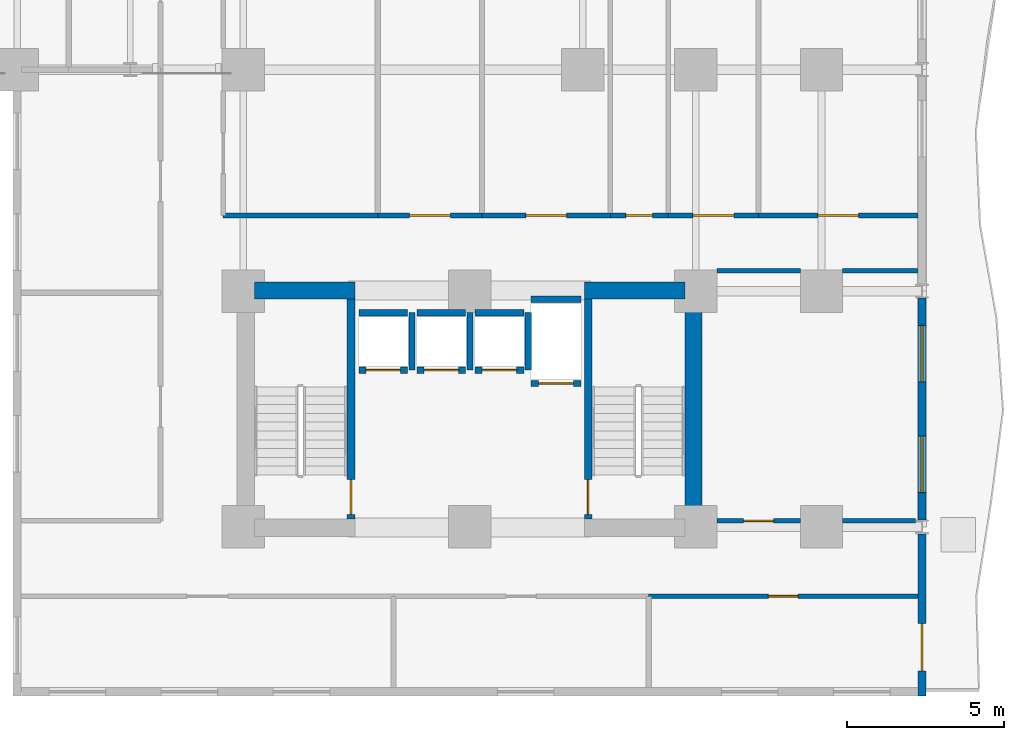
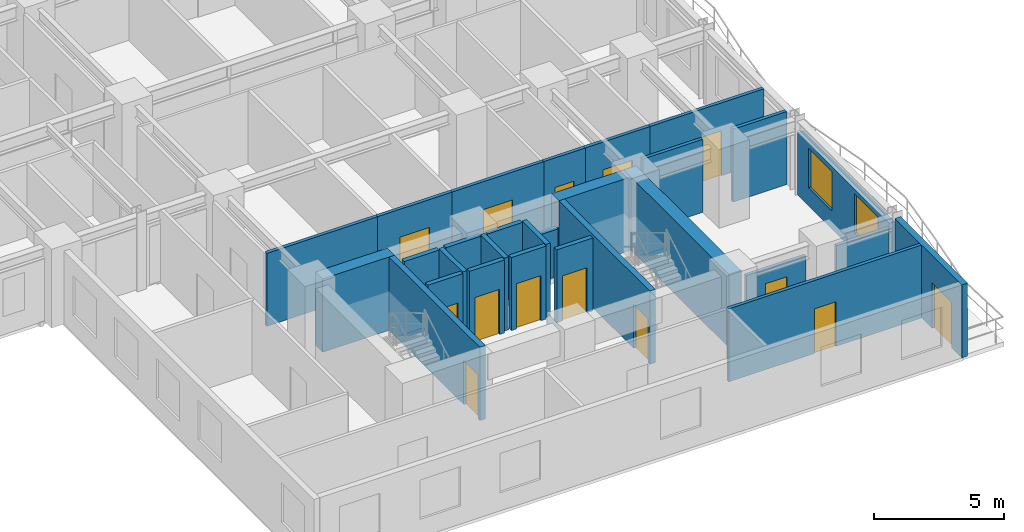
# One storey, part 5 of 11: 29 walls, 14 doors, 2 windows, 16 openings.
"""IFC4 building model written with IfcOpenShell, lengths in metres."""

import ifcopenshell
import ifcopenshell.guid

model = None  # the IFC model being written
_history = None  # IfcOwnerHistory: only IFC2X3 demands one
_inside = {}  # id of a spatial element -> (the spatial element, [elements in it])
_under = {}  # id of a project, library or spatial element -> (it, [spatial elements below it])
_declared = {}  # id of a project -> (the project, [libraries it declares])
_typed = {}  # id of a type object -> (the type object, [elements of that type])
_made_of = {}  # id of a material, layer set ... -> (it, [elements and type objects made of it])


def new_model(schema):
    """Start an empty IFC model of exactly this schema.

    Asked for "IFC4X3", IfcOpenShell would pick the latest addendum, in which some entities
    have other attributes; the version numbers below select the first issue.
    IFC2X3 requires an IfcOwnerHistory on every rooted entity: one is made here for all.
    """
    global model, _history
    if schema == "IFC4X3":
        model = ifcopenshell.file(schema_version=(4, 3, 0, 0))
    else:
        model = ifcopenshell.file(schema=schema)
    _inside.clear()
    _under.clear()
    _declared.clear()
    _typed.clear()
    _made_of.clear()
    _history = None
    if model.schema == "IFC2X3":
        org = make("IfcOrganization", Name="unknown")
        user = make(
            "IfcPersonAndOrganization",
            ThePerson=make("IfcPerson", FamilyName="unknown"),
            TheOrganization=org,
        )
        app = make(
            "IfcApplication",
            ApplicationDeveloper=org,
            Version="unknown",
            ApplicationFullName="unknown",
            ApplicationIdentifier="unknown",
        )
        _history = make(
            "IfcOwnerHistory",
            OwningUser=user,
            OwningApplication=app,
            ChangeAction="ADDED",
            CreationDate=0,
        )
    return model


def make(cls, **values):
    """One entity of the class cls with the attributes given. An attribute that is None is left unset."""
    return model.create_entity(
        cls, **{name: value for name, value in values.items() if value is not None}
    )


def rooted(cls, **values):
    """An entity with a GlobalId (a new one), such as an element, a storey or a relation."""
    return make(cls, GlobalId=ifcopenshell.guid.new(), OwnerHistory=_history, **values)


def si_unit(unit_type, name, prefix=None):
    """IfcSIUnit, for example si_unit("LENGTHUNIT", "METRE", prefix="MILLI")."""
    return make("IfcSIUnit", UnitType=unit_type, Prefix=prefix, Name=name)


def assignment(units):
    """IfcUnitAssignment: the units of a project."""
    return None if units is None else make("IfcUnitAssignment", Units=units)


def point(xyz):
    """IfcCartesianPoint."""
    return None if xyz is None else make("IfcCartesianPoint", Coordinates=xyz)


def direction(xyz):
    """IfcDirection."""
    return None if xyz is None else make("IfcDirection", DirectionRatios=xyz)


def frame(location, z_axis=None, x_axis=None):
    """IfcAxis2Placement3D, a coordinate frame: its origin and axes. An axis left out is left unset."""
    return make(
        "IfcAxis2Placement3D",
        Location=point(location),
        Axis=direction(z_axis),
        RefDirection=direction(x_axis),
    )


def frame_2d(location, x_axis=None):
    """IfcAxis2Placement2D, a coordinate frame in the plane: its origin and x axis."""
    return make(
        "IfcAxis2Placement2D", Location=point(location), RefDirection=direction(x_axis)
    )


def origin():
    """The frame at (0, 0, 0) with its axes left unset."""
    return frame((0.0, 0.0, 0.0))


def place(relative_to, where):
    """IfcLocalPlacement: puts the frame where relative to a parent placement (None: the world)."""
    return make(
        "IfcLocalPlacement", PlacementRelTo=relative_to, RelativePlacement=where
    )


def context(
    kind, dimensions, precision=None, world=None, true_north=None, identifier=None
):
    """IfcGeometricRepresentationContext, for example the 3D "Model" context."""
    return make(
        "IfcGeometricRepresentationContext",
        ContextIdentifier=identifier,
        ContextType=kind,
        CoordinateSpaceDimension=dimensions,
        Precision=precision,
        WorldCoordinateSystem=world,
        TrueNorth=true_north,
    )


def subcontext(parent, identifier, kind, view, scale=None):
    """IfcGeometricRepresentationSubContext, for example "Body" below "Model"."""
    return make(
        "IfcGeometricRepresentationSubContext",
        ContextIdentifier=identifier,
        ContextType=kind,
        ParentContext=parent,
        TargetScale=scale,
        TargetView=view,
    )


def project(units=None, contexts=None):
    """IfcProject with its units and contexts."""
    return rooted(
        "IfcProject",
        Name="project",
        RepresentationContexts=contexts,
        UnitsInContext=assignment(units),
    )


def spatial(cls, under=None, at=None, **own):
    """A site, building, storey or space (cls), placed at a placement, below another one or the project."""
    s = rooted(cls, ObjectPlacement=at, **own)
    if under is not None:
        _under.setdefault(under.id(), (under, []))[1].append(s)
    return s


def profile(cls, at=None, kind="AREA", **sizes):
    """A parametric profile (cls). Its sizes go by their IFC names, for example OverallWidth=200.0."""
    return make(cls, ProfileType=kind, Position=at, **sizes)


def rectangle(**sizes):
    """IfcRectangleProfileDef."""
    return profile("IfcRectangleProfileDef", **sizes)


def extrude(swept, where, along, depth):
    """IfcExtrudedAreaSolid: the profile swept, set in the frame where, extruded along a direction by depth."""
    return make(
        "IfcExtrudedAreaSolid",
        SweptArea=swept,
        Position=where,
        ExtrudedDirection=direction(along),
        Depth=depth,
    )


def shape(context_of_items, identifier, shape_type, items):
    """IfcShapeRepresentation: the items that make up one representation, for example the "Body"."""
    return make(
        "IfcShapeRepresentation",
        ContextOfItems=context_of_items,
        RepresentationIdentifier=identifier,
        RepresentationType=shape_type,
        Items=items,
    )


def material(Name=None, Category=None):
    """IfcMaterial."""
    return make("IfcMaterial", Name=Name, Category=Category)


def layer(
    of_material, thickness, ventilated=None, Name=None, Category=None, Priority=None
):
    """IfcMaterialLayer: one layer of a wall or slab, of a material (None: an air gap)."""
    return make(
        "IfcMaterialLayer",
        Material=of_material,
        LayerThickness=thickness,
        IsVentilated=ventilated,
        Name=Name,
        Category=Category,
        Priority=Priority,
    )


def layer_set(layers, Name=None):
    """IfcMaterialLayerSet."""
    return make("IfcMaterialLayerSet", MaterialLayers=layers, LayerSetName=Name)


def made_of(thing, what):
    """Note that an element or type object is made of a material, layer set ...; save() writes the relation."""
    if what is not None:
        _made_of.setdefault(what.id(), (what, []))[1].append(thing)
    return thing


def type_object(cls, material=None, **own):
    """A type object (cls), such as IfcWallType, which elements share."""
    return made_of(rooted(cls, **own), material)


def element(
    cls,
    number,
    at=None,
    inside=None,
    cuts=None,
    type_object=None,
    material=None,
    context=None,
    identifier="Body",
    shape_type=None,
    held_by="IfcProductDefinitionShape",
    body=None,
    shapes=None,
    **own,
):
    """One element of the class cls, such as IfcWall. Its Tag is "e" and its number.

    at: its placement. inside: the storey or other place that contains it. cuts: it is an
    opening in that element (IfcRelVoidsElement). A single representation is given by context,
    identifier, shape_type and body (its items); several are given by shapes. held_by: the class
    of the entity that holds the representations. save() writes the other relations.
    """
    e = rooted(cls, Tag="e%d" % number, ObjectPlacement=at, **own)
    if body is not None:
        shapes = [shape(context, identifier, shape_type, body)]
    if shapes is not None:
        e.Representation = make(held_by, Representations=shapes)
    if inside is not None:
        _inside.setdefault(inside.id(), (inside, []))[1].append(e)
    if cuts is not None:
        rooted(
            "IfcRelVoidsElement", RelatingBuildingElement=cuts, RelatedOpeningElement=e
        )
    if type_object is not None:
        _typed.setdefault(type_object.id(), (type_object, []))[1].append(e)
    return made_of(e, material)


def fill(opening, filler):
    """IfcRelFillsElement: the door or window that sits in an opening."""
    return rooted(
        "IfcRelFillsElement",
        RelatingOpeningElement=opening,
        RelatedBuildingElement=filler,
    )


def aggregate(whole, parts):
    """IfcRelAggregates: a whole, such as a stair, and the parts it consists of."""
    return rooted("IfcRelAggregates", RelatingObject=whole, RelatedObjects=parts)


def save(model, path):
    """Write the relations noted so far, then the file.

    IfcRelAggregates (storeys below a building ...), IfcRelContainedInSpatialStructure (elements
    in a storey), IfcRelDefinesByType, IfcRelAssociatesMaterial and IfcRelDeclares: one each for
    every whole, place, type object, material and project.
    """
    for whole, parts in _under.values():
        aggregate(whole, parts)
    for where, things in _inside.values():
        rooted(
            "IfcRelContainedInSpatialStructure",
            RelatedElements=things,
            RelatingStructure=where,
        )
    for kind, things in _typed.values():
        rooted("IfcRelDefinesByType", RelatedObjects=things, RelatingType=kind)
    for what, things in _made_of.values():
        rooted("IfcRelAssociatesMaterial", RelatedObjects=things, RelatingMaterial=what)
    for by, libraries in _declared.values():
        rooted("IfcRelDeclares", RelatingContext=by, RelatedDefinitions=libraries)
    model.write(path)


model = new_model("IFC4")

# Units and contexts
model_context = context("Model", 3, precision=1e-05, world=origin(), true_north=direction((0.0, 1.0)))
body_context = subcontext(model_context, "Body", "Model", "MODEL_VIEW")
ifc_project = project(units=[si_unit("LENGTHUNIT", "METRE"), si_unit("AREAUNIT", "SQUARE_METRE"), si_unit("VOLUMEUNIT", "CUBIC_METRE"), si_unit("PLANEANGLEUNIT", "RADIAN"), si_unit("MASSUNIT", "GRAM", prefix="KILO")], contexts=[model_context])

# Site, building, storey
site_placement = place(None, origin())
site = spatial("IfcSite", under=ifc_project, at=site_placement, CompositionType="ELEMENT")
building_placement = place(site_placement, origin())
building = spatial("IfcBuilding", under=site, at=building_placement, Name="Kaliganga Portal Commons", CompositionType="ELEMENT")
storey_placement = place(building_placement, frame((0.0, 0.0, 36.39990234375)))
storey = spatial("IfcBuildingStorey", under=building, at=storey_placement, Name="L08", CompositionType="ELEMENT", Elevation=36.39990234375)

# Walls
ifc_material_1 = material(Name="Concrete C60/75", Category="concrete")
ifc_layer_1 = layer(ifc_material_1, 0.550048828125)
ifc_layer_set_1 = layer_set([ifc_layer_1], Name="Concrete C60/75")
wall_type_1 = type_object("IfcWallType", Name="WL-CORE-550", PredefinedType="SHEAR", material=ifc_layer_set_1)
wall_1_placement = place(storey_placement, frame((50.324951171875, 6.75, 0.0), z_axis=(0.0, 0.0, 1.0), x_axis=(0.0, 1.0, 0.0)))
element("IfcWall", 1, at=wall_1_placement, inside=storey, type_object=wall_type_1, Name="Core B East Shear Wall L08", PredefinedType="SHEAR", context=body_context, shape_type="SweptSolid", body=[
    extrude(rectangle(XDim=8.10009765625, YDim=0.550048828125, at=frame_2d((4.050048828125, 0.0))), origin(), (0.0, 0.0, 1.0), 3.4501953125),
])
for number, where, z_axis, x_axis, name in (
    (2, (36.35009765625, 14.574951171875, 0.0), (0.0, 0.0, 1.0), (1.0, 0.0, 0.0), "Core B N-West Shear Wall L08"),
    (3, (46.85009765625, 14.574951171875, 0.0), (0.0, 0.0, 1.0), (1.0, 0.0, 0.0), "Core B N-East Shear Wall L08"),
):
    element("IfcWall", number, at=place(storey_placement, frame(where, z_axis=z_axis, x_axis=x_axis)), inside=storey, type_object=wall_type_1, Name=name, PredefinedType="SHEAR", context=body_context, shape_type="SweptSolid", body=[
        extrude(rectangle(XDim=3.199951171875, YDim=0.550048828125, at=frame_2d((1.60009765625, 0.0))), origin(), (0.0, 0.0, 1.0), 3.4501953125),
    ])

# Wall, opening, door
ifc_material_2 = material(Name="Insulated Aluminium-Clad Spandrel Assembly", Category="aluminium")
ifc_layer_2 = layer(ifc_material_2, 0.260009765625)
ifc_layer_set_2 = layer_set([ifc_layer_2], Name="Insulated Aluminium-Clad Spandrel Assembly")
wall_type_2 = type_object("IfcWallType", Name="WL-EXT-SPAND-260", PredefinedType="STANDARD", material=ifc_layer_set_2)
wall_2_placement = place(storey_placement, frame((57.60009765625, 6.825927734375, 0.0), z_axis=(0.0, 0.0, 1.0), x_axis=(0.0, -1.0, 0.0)))
wall_2 = element("IfcWall", 4, at=wall_2_placement, inside=storey, type_object=wall_type_2, Name="Exterior Envelope Wall L08 P1-E01-S1", PredefinedType="STANDARD", context=body_context, shape_type="SweptSolid", body=[
    extrude(rectangle(XDim=5.156005859375, YDim=0.260009765625, at=frame_2d((2.578125, 0.0))), origin(), (0.0, 0.0, 1.0), 3.43017578125),
])
opening_1_placement = place(wall_2_placement, frame((2.85888671875, 0.0, 0.0)))
opening_1 = element("IfcOpeningElement", 5, at=opening_1_placement, cuts=wall_2, Name="Opening BD-01", PredefinedType="OPENING", context=body_context, shape_type="SweptSolid", body=[
    extrude(rectangle(XDim=1.5, YDim=2.14990234375, at=frame_2d((0.75, 1.074951171875))), frame((0.0, 0.14013671875, 0.0), z_axis=(0.0, -1.0, 0.0), x_axis=(1.0, 0.0, 0.0)), (0.0, 0.0, 1.0), 0.280029296875),
])
ifc_material_3 = material(Name="Anodized Aluminium and Laminated Safety Glass", Category="aluminium")
door_type_1 = type_object("IfcDoorType", Name="DR-BALC-1500", OperationType="SLIDING_TO_LEFT", PredefinedType="DOOR", material=ifc_material_3)
door_1_placement = place(opening_1_placement, origin())
door_1 = element("IfcDoor", 6, at=door_1_placement, inside=storey, type_object=door_type_1, Name="Balcony Sliding Door L08 balc_east", OperationType="SLIDING_TO_LEFT", OverallHeight=2.14990234375, OverallWidth=1.5, PredefinedType="DOOR", context=body_context, shape_type="SweptSolid", body=[
    extrude(rectangle(XDim=1.5, YDim=2.14990234375, at=frame_2d((0.75, 1.074951171875))), frame((0.0, 0.02490234375, 0.0), z_axis=(0.0, -1.0, 0.0), x_axis=(1.0, 0.0, 0.0)), (0.0, 0.0, 1.0), 0.050048828125),
])
fill(opening_1, door_1)

# Wall, openings, windows
wall_3_placement = place(storey_placement, frame((57.60009765625, 14.325927734375, 0.0), z_axis=(0.0, 0.0, 1.0), x_axis=(0.0, -1.0, 0.0)))
wall_3 = element("IfcWall", 7, at=wall_3_placement, inside=storey, type_object=wall_type_2, Name="Exterior Envelope Wall L08 P1-E01-S2", PredefinedType="STANDARD", context=body_context, shape_type="SweptSolid", body=[
    extrude(rectangle(XDim=7.052001953125, YDim=0.260009765625, at=frame_2d((3.52587890625, 0.0))), origin(), (0.0, 0.0, 1.0), 2.93017578125),
])
opening_2_placement = place(wall_3_placement, frame((0.863037109375, 0.0, 0.85009765625)))
opening_2 = element("IfcOpeningElement", 8, at=opening_2_placement, cuts=wall_3, Name="Opening W-01", PredefinedType="OPENING", context=body_context, shape_type="SweptSolid", body=[
    extrude(rectangle(XDim=1.800048828125, YDim=1.85009765625, at=frame_2d((0.89990234375, 0.925048828125))), frame((0.0, 0.14013671875, 0.0), z_axis=(0.0, -1.0, 0.0), x_axis=(1.0, 0.0, 0.0)), (0.0, 0.0, 1.0), 0.280029296875),
])
opening_3_placement = place(wall_3_placement, frame((4.388916015625, 0.0, 0.85009765625)))
opening_3 = element("IfcOpeningElement", 9, at=opening_3_placement, cuts=wall_3, Name="Opening W-01", PredefinedType="OPENING", context=body_context, shape_type="SweptSolid", body=[
    extrude(rectangle(XDim=1.800048828125, YDim=1.85009765625, at=frame_2d((0.89990234375, 0.925048828125))), frame((0.0, 0.14013671875, 0.0), z_axis=(0.0, -1.0, 0.0), x_axis=(1.0, 0.0, 0.0)), (0.0, 0.0, 1.0), 0.280029296875),
])
ifc_material_4 = material(Name="Thermally Broken Aluminium and Low-E Double Glazing", Category="aluminium")
window_type = type_object("IfcWindowType", Name="WIN-STD-1800", PartitioningType="DOUBLE_PANEL_VERTICAL", PredefinedType="WINDOW", material=ifc_material_4)
window_1_placement = place(opening_2_placement, origin())
window_1 = element("IfcWindow", 10, at=window_1_placement, inside=storey, type_object=window_type, Name="Facade Window L08-P1E01S2-00", OverallHeight=1.85009765625, OverallWidth=1.800048828125, PartitioningType="SINGLE_PANEL", PredefinedType="WINDOW", context=body_context, shape_type="SweptSolid", body=[
    extrude(rectangle(XDim=1.800048828125, YDim=1.85009765625, at=frame_2d((0.89990234375, 0.925048828125))), frame((0.0, 0.030029296875, 0.0), z_axis=(0.0, -1.0, 0.0), x_axis=(1.0, 0.0, 0.0)), (0.0, 0.0, 1.0), 0.06005859375),
])
fill(opening_2, window_1)
window_2_placement = place(opening_3_placement, origin())
window_2 = element("IfcWindow", 11, at=window_2_placement, inside=storey, type_object=window_type, Name="Facade Window L08-P1E01S2-01", OverallHeight=1.85009765625, OverallWidth=1.800048828125, PartitioningType="SINGLE_PANEL", PredefinedType="WINDOW", context=body_context, shape_type="SweptSolid", body=[
    extrude(rectangle(XDim=1.800048828125, YDim=1.85009765625, at=frame_2d((0.89990234375, 0.925048828125))), frame((0.0, 0.030029296875, 0.0), z_axis=(0.0, -1.0, 0.0), x_axis=(1.0, 0.0, 0.0)), (0.0, 0.0, 1.0), 0.06005859375),
])
fill(opening_3, window_2)

# Wall, opening, door
ifc_material_5 = material(Name="Fire-Rated Gypsum Board on Steel Stud", Category="steel")
ifc_layer_3 = layer(ifc_material_5, 0.14990234375)
ifc_layer_set_3 = layer_set([ifc_layer_3], Name="Fire-Rated Gypsum Board on Steel Stud")
wall_type_3 = type_object("IfcWallType", Name="WL-PART-CORR-150", PredefinedType="PARTITIONING", material=ifc_layer_set_3)
wall_4_placement = place(storey_placement, frame((48.89990234375, 4.840087890625, 0.0), z_axis=(0.0, 0.0, 1.0), x_axis=(1.0, 0.0, 0.0)))
wall_4 = element("IfcWall", 12, at=wall_4_placement, inside=storey, type_object=wall_type_3, Name="Interior Partition L08-011", PredefinedType="PARTITIONING", context=body_context, shape_type="SweptSolid", body=[
    extrude(rectangle(XDim=8.568115234375, YDim=0.14990234375, at=frame_2d((4.2841796875, 0.0))), origin(), (0.0, 0.0, 1.0), 3.43017578125),
])
opening_4_placement = place(wall_4_placement, frame((3.80908203125, 0.0, 0.0)))
opening_4 = element("IfcOpeningElement", 13, at=opening_4_placement, cuts=wall_4, Name="Opening UD-01", PredefinedType="OPENING", context=body_context, shape_type="SweptSolid", body=[
    extrude(rectangle(XDim=0.949951171875, YDim=2.10009765625, at=frame_2d((0.47509765625, 1.050048828125))), frame((0.0, 0.0849609375, 0.0), z_axis=(0.0, -1.0, 0.0), x_axis=(1.0, 0.0, 0.0)), (0.0, 0.0, 1.0), 0.169921875),
])
ifc_material_6 = material(Name="Solid-Core Timber Acoustic Fire Door", Category="wood")
door_type_2 = type_object("IfcDoorType", Name="DR-UNIT-950", OperationType="NOTDEFINED", PredefinedType="DOOR", material=ifc_material_6)
door_2_placement = place(opening_4_placement, origin())
door_2 = element("IfcDoor", 14, at=door_2_placement, inside=storey, type_object=door_type_2, Name="Interior Door L08-BS03", OperationType="SINGLE_SWING_RIGHT", OverallHeight=2.10009765625, OverallWidth=0.949951171875, PredefinedType="DOOR", context=body_context, shape_type="SweptSolid", body=[
    extrude(rectangle(XDim=0.949951171875, YDim=2.10009765625, at=frame_2d((0.47509765625, 1.050048828125))), frame((0.0, 0.02490234375, 0.0), z_axis=(0.0, -1.0, 0.0), x_axis=(1.0, 0.0, 0.0)), (0.0, 0.0, 1.0), 0.050048828125),
])
fill(opening_4, door_2)

wall_5_placement = place(storey_placement, frame((51.074951171875, 7.239990234375, 0.0), z_axis=(0.0, 0.0, 1.0), x_axis=(1.0, 0.0, 0.0)))
wall_5 = element("IfcWall", 15, at=wall_5_placement, inside=storey, type_object=wall_type_3, Name="Interior Partition L08-022", PredefinedType="PARTITIONING", context=body_context, shape_type="SweptSolid", body=[
    extrude(rectangle(XDim=2.650146484375, YDim=0.14990234375, at=frame_2d((1.3251953125, 0.0))), origin(), (0.0, 0.0, 1.0), 2.780029296875),
])
opening_5_placement = place(wall_5_placement, frame((0.85009765625, 0.0, 0.0)))
opening_5 = element("IfcOpeningElement", 16, at=opening_5_placement, cuts=wall_5, Name="Opening UD-01", PredefinedType="OPENING", context=body_context, shape_type="SweptSolid", body=[
    extrude(rectangle(XDim=0.949951171875, YDim=2.10009765625, at=frame_2d((0.47509765625, 1.050048828125))), frame((0.0, 0.0849609375, 0.0), z_axis=(0.0, -1.0, 0.0), x_axis=(1.0, 0.0, 0.0)), (0.0, 0.0, 1.0), 0.169921875),
])
door_3_placement = place(opening_5_placement, origin())
door_3 = element("IfcDoor", 17, at=door_3_placement, inside=storey, type_object=door_type_2, Name="Interior Door L08-BE01", OperationType="SINGLE_SWING_RIGHT", OverallHeight=2.10009765625, OverallWidth=0.949951171875, PredefinedType="DOOR", context=body_context, shape_type="SweptSolid", body=[
    extrude(rectangle(XDim=0.949951171875, YDim=2.10009765625, at=frame_2d((0.47509765625, 1.050048828125))), frame((0.0, 0.02490234375, 0.0), z_axis=(0.0, -1.0, 0.0), x_axis=(1.0, 0.0, 0.0)), (0.0, 0.0, 1.0), 0.050048828125),
])
fill(opening_5, door_3)

# Walls
wall_6_placement = place(storey_placement, frame((55.074951171875, 7.239990234375, 0.0), z_axis=(0.0, 0.0, 1.0), x_axis=(1.0, 0.0, 0.0)))
element("IfcWall", 18, at=wall_6_placement, inside=storey, type_object=wall_type_3, Name="Interior Partition L08-023", PredefinedType="PARTITIONING", context=body_context, shape_type="SweptSolid", body=[
    extrude(rectangle(XDim=2.317138671875, YDim=0.14990234375, at=frame_2d((1.15869140625, 0.0))), origin(), (0.0, 0.0, 1.0), 2.780029296875),
])
wall_7_placement = place(storey_placement, frame((51.074951171875, 15.199951171875, 0.0), z_axis=(0.0, 0.0, 1.0), x_axis=(1.0, 0.0, 0.0)))
element("IfcWall", 19, at=wall_7_placement, inside=storey, type_object=wall_type_3, Name="Interior Partition L08-024", PredefinedType="PARTITIONING", context=body_context, shape_type="SweptSolid", body=[
    extrude(rectangle(XDim=2.650146484375, YDim=0.14990234375, at=frame_2d((1.3251953125, 0.0))), origin(), (0.0, 0.0, 1.0), 3.43017578125),
])
wall_8_placement = place(storey_placement, frame((55.074951171875, 15.199951171875, 0.0), z_axis=(0.0, 0.0, 1.0), x_axis=(1.0, 0.0, 0.0)))
element("IfcWall", 20, at=wall_8_placement, inside=storey, type_object=wall_type_3, Name="Interior Partition L08-025", PredefinedType="PARTITIONING", context=body_context, shape_type="SweptSolid", body=[
    extrude(rectangle(XDim=2.39306640625, YDim=0.14990234375, at=frame_2d((1.196533203125, 0.0))), origin(), (0.0, 0.0, 1.0), 3.43017578125),
])

# Wall, opening, door
wall_9_placement = place(storey_placement, frame((52.39990234375, 16.9599609375, 0.0), z_axis=(0.0, 0.0, 1.0), x_axis=(1.0, 0.0, 0.0)))
wall_9 = element("IfcWall", 21, at=wall_9_placement, inside=storey, type_object=wall_type_3, Name="Interior Partition L08-029", PredefinedType="PARTITIONING", context=body_context, shape_type="SweptSolid", body=[
    extrude(rectangle(XDim=5.068115234375, YDim=0.14990234375, at=frame_2d((2.5341796875, 0.0))), origin(), (0.0, 0.0, 1.0), 3.43017578125),
])
opening_6_placement = place(wall_9_placement, frame((1.884033203125, 0.0, 0.0)))
opening_6 = element("IfcOpeningElement", 22, at=opening_6_placement, cuts=wall_9, Name="Opening RD-03", PredefinedType="OPENING", context=body_context, shape_type="SweptSolid", body=[
    extrude(rectangle(XDim=1.300048828125, YDim=2.1201171875, at=frame_2d((0.64990234375, 1.06005859375))), frame((0.0, 0.0849609375, 0.0), z_axis=(0.0, -1.0, 0.0), x_axis=(1.0, 0.0, 0.0)), (0.0, 0.0, 1.0), 0.169921875),
])
ifc_material_7 = material(Name="Glazed Timber Seminar Vision Door", Category="wood")
door_type_3 = type_object("IfcDoorType", Name="DR-STUDY-1300", OperationType="DOUBLE_DOOR_SINGLE_SWING", PredefinedType="DOOR", material=ifc_material_7)
door_4_placement = place(opening_6_placement, origin())
door_4 = element("IfcDoor", 23, at=door_4_placement, inside=storey, type_object=door_type_3, Name="Interior Door L08-BM05B", OperationType="DOUBLE_DOOR_SINGLE_SWING", OverallHeight=2.1201171875, OverallWidth=1.300048828125, PredefinedType="DOOR", context=body_context, shape_type="SweptSolid", body=[
    extrude(rectangle(XDim=1.300048828125, YDim=2.1201171875, at=frame_2d((0.64990234375, 1.06005859375))), frame((0.0, 0.02490234375, 0.0), z_axis=(0.0, -1.0, 0.0), x_axis=(1.0, 0.0, 0.0)), (0.0, 0.0, 1.0), 0.050048828125),
])
fill(opening_6, door_4)

# Wall
wall_10_placement = place(storey_placement, frame((35.360107421875, 16.9599609375, 0.0), z_axis=(0.0, 0.0, 1.0), x_axis=(1.0, 0.0, 0.0)))
element("IfcWall", 24, at=wall_10_placement, inside=storey, type_object=wall_type_3, Name="Interior Partition L08-032", PredefinedType="PARTITIONING", context=body_context, shape_type="SweptSolid", body=[
    extrude(rectangle(XDim=4.919921875, YDim=0.14990234375, at=frame_2d((2.4599609375, 0.0))), origin(), (0.0, 0.0, 1.0), 3.43017578125),
])

# Wall, opening, door
wall_11_placement = place(storey_placement, frame((43.60009765625, 16.9599609375, 0.0), z_axis=(0.0, 0.0, 1.0), x_axis=(1.0, 0.0, 0.0)))
wall_11 = element("IfcWall", 25, at=wall_11_placement, inside=storey, type_object=wall_type_3, Name="Interior Partition L08-044", PredefinedType="PARTITIONING", context=body_context, shape_type="SweptSolid", body=[
    extrude(rectangle(XDim=4.079833984375, YDim=0.14990234375, at=frame_2d((2.0400390625, 0.0))), origin(), (0.0, 0.0, 1.0), 3.43017578125),
])
opening_7_placement = place(wall_11_placement, frame((1.389892578125, 0.0, 0.0)))
opening_7 = element("IfcOpeningElement", 26, at=opening_7_placement, cuts=wall_11, Name="Opening RD-03", PredefinedType="OPENING", context=body_context, shape_type="SweptSolid", body=[
    extrude(rectangle(XDim=1.300048828125, YDim=2.1201171875, at=frame_2d((0.64990234375, 1.06005859375))), frame((0.0, 0.0849609375, 0.0), z_axis=(0.0, -1.0, 0.0), x_axis=(1.0, 0.0, 0.0)), (0.0, 0.0, 1.0), 0.169921875),
])
door_5_placement = place(opening_7_placement, origin())
door_5 = element("IfcDoor", 27, at=door_5_placement, inside=storey, type_object=door_type_3, Name="Interior Door L08-BM03", OperationType="DOUBLE_DOOR_SINGLE_SWING", OverallHeight=2.1201171875, OverallWidth=1.300048828125, PredefinedType="DOOR", context=body_context, shape_type="SweptSolid", body=[
    extrude(rectangle(XDim=1.300048828125, YDim=2.1201171875, at=frame_2d((0.64990234375, 1.06005859375))), frame((0.0, 0.02490234375, 0.0), z_axis=(0.0, -1.0, 0.0), x_axis=(1.0, 0.0, 0.0)), (0.0, 0.0, 1.0), 0.050048828125),
])
fill(opening_7, door_5)

wall_12_placement = place(storey_placement, frame((40.280029296875, 16.9599609375, 0.0), z_axis=(0.0, 0.0, 1.0), x_axis=(1.0, 0.0, 0.0)))
wall_12 = element("IfcWall", 28, at=wall_12_placement, inside=storey, type_object=wall_type_3, Name="Interior Partition L08-047", PredefinedType="PARTITIONING", context=body_context, shape_type="SweptSolid", body=[
    extrude(rectangle(XDim=3.320068359375, YDim=0.14990234375, at=frame_2d((1.66015625, 0.0))), origin(), (0.0, 0.0, 1.0), 3.43017578125),
])
opening_8_placement = place(wall_12_placement, frame((1.010009765625, 0.0, 0.0)))
opening_8 = element("IfcOpeningElement", 29, at=opening_8_placement, cuts=wall_12, Name="Opening RD-03", PredefinedType="OPENING", context=body_context, shape_type="SweptSolid", body=[
    extrude(rectangle(XDim=1.300048828125, YDim=2.1201171875, at=frame_2d((0.64990234375, 1.06005859375))), frame((0.0, 0.0849609375, 0.0), z_axis=(0.0, -1.0, 0.0), x_axis=(1.0, 0.0, 0.0)), (0.0, 0.0, 1.0), 0.169921875),
])
door_6_placement = place(opening_8_placement, origin())
door_6 = element("IfcDoor", 30, at=door_6_placement, inside=storey, type_object=door_type_3, Name="Interior Door L08-BM02", OperationType="DOUBLE_DOOR_SINGLE_SWING", OverallHeight=2.1201171875, OverallWidth=1.300048828125, PredefinedType="DOOR", context=body_context, shape_type="SweptSolid", body=[
    extrude(rectangle(XDim=1.300048828125, YDim=2.1201171875, at=frame_2d((0.64990234375, 1.06005859375))), frame((0.0, 0.02490234375, 0.0), z_axis=(0.0, -1.0, 0.0), x_axis=(1.0, 0.0, 0.0)), (0.0, 0.0, 1.0), 0.050048828125),
])
fill(opening_8, door_6)

wall_13_placement = place(storey_placement, frame((49.52001953125, 16.9599609375, 0.0), z_axis=(0.0, 0.0, 1.0), x_axis=(1.0, 0.0, 0.0)))
wall_13 = element("IfcWall", 31, at=wall_13_placement, inside=storey, type_object=wall_type_3, Name="Interior Partition L08-050", PredefinedType="PARTITIONING", context=body_context, shape_type="SweptSolid", body=[
    extrude(rectangle(XDim=2.8798828125, YDim=0.14990234375, at=frame_2d((1.43994140625, 0.0))), origin(), (0.0, 0.0, 1.0), 3.43017578125),
])
opening_9_placement = place(wall_13_placement, frame((0.7900390625, 0.0, 0.0)))
opening_9 = element("IfcOpeningElement", 32, at=opening_9_placement, cuts=wall_13, Name="Opening RD-03", PredefinedType="OPENING", context=body_context, shape_type="SweptSolid", body=[
    extrude(rectangle(XDim=1.300048828125, YDim=2.1201171875, at=frame_2d((0.64990234375, 1.06005859375))), frame((0.0, 0.0849609375, 0.0), z_axis=(0.0, -1.0, 0.0), x_axis=(1.0, 0.0, 0.0)), (0.0, 0.0, 1.0), 0.169921875),
])
door_7_placement = place(opening_9_placement, origin())
door_7 = element("IfcDoor", 33, at=door_7_placement, inside=storey, type_object=door_type_3, Name="Interior Door L08-BM05", OperationType="DOUBLE_DOOR_SINGLE_SWING", OverallHeight=2.1201171875, OverallWidth=1.300048828125, PredefinedType="DOOR", context=body_context, shape_type="SweptSolid", body=[
    extrude(rectangle(XDim=1.300048828125, YDim=2.1201171875, at=frame_2d((0.64990234375, 1.06005859375))), frame((0.0, 0.02490234375, 0.0), z_axis=(0.0, -1.0, 0.0), x_axis=(1.0, 0.0, 0.0)), (0.0, 0.0, 1.0), 0.050048828125),
])
fill(opening_9, door_7)

wall_14_placement = place(storey_placement, frame((47.679931640625, 16.9599609375, 0.0), z_axis=(0.0, 0.0, 1.0), x_axis=(1.0, 0.0, 0.0)))
wall_14 = element("IfcWall", 34, at=wall_14_placement, inside=storey, type_object=wall_type_3, Name="Interior Partition L08-056", PredefinedType="PARTITIONING", context=body_context, shape_type="SweptSolid", body=[
    extrude(rectangle(XDim=1.840087890625, YDim=0.14990234375, at=frame_2d((0.919921875, 0.0))), origin(), (0.0, 0.0, 1.0), 3.43017578125),
])
opening_10_placement = place(wall_14_placement, frame((0.4951171875, 0.0, 0.0)))
opening_10 = element("IfcOpeningElement", 35, at=opening_10_placement, cuts=wall_14, Name="Opening WD-01", PredefinedType="OPENING", context=body_context, shape_type="SweptSolid", body=[
    extrude(rectangle(XDim=0.85009765625, YDim=2.0400390625, at=frame_2d((0.425048828125, 1.02001953125))), frame((0.0, 0.0849609375, 0.0), z_axis=(0.0, -1.0, 0.0), x_axis=(1.0, 0.0, 0.0)), (0.0, 0.0, 1.0), 0.169921875),
])
ifc_material_8 = material(Name="Moisture-Resistant Laminate Timber Door", Category="wood")
door_type_4 = type_object("IfcDoorType", Name="DR-WET-850", OperationType="NOTDEFINED", PredefinedType="DOOR", material=ifc_material_8)
door_8_placement = place(opening_10_placement, origin())
door_8 = element("IfcDoor", 36, at=door_8_placement, inside=storey, type_object=door_type_4, Name="Interior Door L08-BM04", OperationType="SINGLE_SWING_RIGHT", OverallHeight=2.0400390625, OverallWidth=0.85009765625, PredefinedType="DOOR", context=body_context, shape_type="SweptSolid", body=[
    extrude(rectangle(XDim=0.85009765625, YDim=2.0400390625, at=frame_2d((0.425048828125, 1.02001953125))), frame((0.0, 0.02490234375, 0.0), z_axis=(0.0, -1.0, 0.0), x_axis=(1.0, 0.0, 0.0)), (0.0, 0.0, 1.0), 0.050048828125),
])
fill(opening_10, door_8)

ifc_material_9 = material(Name="Fire-Rated Shaftwall Masonry Assembly", Category="masonry")
ifc_layer_4 = layer(ifc_material_9, 0.199951171875)
ifc_layer_set_4 = layer_set([ifc_layer_4], Name="Fire-Rated Shaftwall Masonry Assembly")
wall_type_4 = type_object("IfcWallType", Name="WL-SHAFT-200", PredefinedType="PARTITIONING", material=ifc_layer_set_4)
wall_15_placement = place(storey_placement, frame((39.675048828125, 12.034912109375, 0.0), z_axis=(0.0, 0.0, 1.0), x_axis=(1.0, 0.0, 0.0)))
wall_15 = element("IfcWall", 37, at=wall_15_placement, inside=storey, type_object=wall_type_4, Name="Lift PL-B1 Hoistway Shaft Wall L08-S", PredefinedType="PARTITIONING", context=body_context, shape_type="SweptSolid", body=[
    extrude(rectangle(XDim=1.550048828125, YDim=0.199951171875, at=frame_2d((0.77490234375, 0.0))), origin(), (0.0, 0.0, 1.0), 3.43017578125),
])
opening_11_placement = place(wall_15_placement, frame((0.22509765625, 0.0, 0.0)))
opening_11 = element("IfcOpeningElement", 38, at=opening_11_placement, cuts=wall_15, Name="Opening LD-01", PredefinedType="OPENING", context=body_context, shape_type="SweptSolid", body=[
    extrude(rectangle(XDim=1.10009765625, YDim=2.1201171875, at=frame_2d((0.550048828125, 1.06005859375))), frame((0.0, 0.10986328125, 0.0), z_axis=(0.0, -1.0, 0.0), x_axis=(1.0, 0.0, 0.0)), (0.0, 0.0, 1.0), 0.219970703125),
])
ifc_material_10 = material(Name="Brushed Stainless Steel 316 Lift Landing Door", Category="steel")
door_type_5 = type_object("IfcDoorType", Name="DR-LIFT-1100", OperationType="SLIDING_TO_LEFT", PredefinedType="DOOR", material=ifc_material_10)
door_9_placement = place(opening_11_placement, origin())
door_9 = element("IfcDoor", 39, at=door_9_placement, inside=storey, type_object=door_type_5, Name="Lift PL-B1 Sliding Landing Door L08", OperationType="SLIDING_TO_LEFT", OverallHeight=2.1201171875, OverallWidth=1.10009765625, PredefinedType="DOOR", context=body_context, shape_type="SweptSolid", body=[
    extrude(rectangle(XDim=1.10009765625, YDim=2.1201171875, at=frame_2d((0.550048828125, 1.06005859375))), frame((0.0, 0.02490234375, 0.0), z_axis=(0.0, -1.0, 0.0), x_axis=(1.0, 0.0, 0.0)), (0.0, 0.0, 1.0), 0.050048828125),
])
fill(opening_11, door_9)

# Walls
wall_16_placement = place(storey_placement, frame((39.675048828125, 13.864990234375, 0.0), z_axis=(0.0, 0.0, 1.0), x_axis=(1.0, 0.0, 0.0)))
element("IfcWall", 40, at=wall_16_placement, inside=storey, type_object=wall_type_4, Name="Lift PL-B1 Hoistway Shaft Wall L08-N", PredefinedType="PARTITIONING", context=body_context, shape_type="SweptSolid", body=[
    extrude(rectangle(XDim=1.550048828125, YDim=0.199951171875, at=frame_2d((0.77490234375, 0.0))), origin(), (0.0, 0.0, 1.0), 3.43017578125),
])
wall_17_placement = place(storey_placement, frame((41.364990234375, 12.034912109375, 0.0), z_axis=(0.0, 0.0, 1.0), x_axis=(0.0, 1.0, 0.0)))
element("IfcWall", 41, at=wall_17_placement, inside=storey, type_object=wall_type_4, Name="Lift PL-B1 Hoistway Shaft Wall L08-E", PredefinedType="PARTITIONING", context=body_context, shape_type="SweptSolid", body=[
    extrude(rectangle(XDim=1.830078125, YDim=0.199951171875, at=frame_2d((0.9150390625, 0.0))), origin(), (0.0, 0.0, 1.0), 3.43017578125),
])

# Wall, opening, door
wall_18_placement = place(storey_placement, frame((41.52490234375, 12.034912109375, 0.0), z_axis=(0.0, 0.0, 1.0), x_axis=(1.0, 0.0, 0.0)))
wall_18 = element("IfcWall", 42, at=wall_18_placement, inside=storey, type_object=wall_type_4, Name="Lift PL-B2 Hoistway Shaft Wall L08-S", PredefinedType="PARTITIONING", context=body_context, shape_type="SweptSolid", body=[
    extrude(rectangle(XDim=1.550048828125, YDim=0.199951171875, at=frame_2d((0.77490234375, 0.0))), origin(), (0.0, 0.0, 1.0), 3.43017578125),
])
opening_12_placement = place(wall_18_placement, frame((0.22509765625, 0.0, 0.0)))
opening_12 = element("IfcOpeningElement", 43, at=opening_12_placement, cuts=wall_18, Name="Opening LD-01", PredefinedType="OPENING", context=body_context, shape_type="SweptSolid", body=[
    extrude(rectangle(XDim=1.10009765625, YDim=2.1201171875, at=frame_2d((0.550048828125, 1.06005859375))), frame((0.0, 0.10986328125, 0.0), z_axis=(0.0, -1.0, 0.0), x_axis=(1.0, 0.0, 0.0)), (0.0, 0.0, 1.0), 0.219970703125),
])
door_10_placement = place(opening_12_placement, origin())
door_10 = element("IfcDoor", 44, at=door_10_placement, inside=storey, type_object=door_type_5, Name="Lift PL-B2 Sliding Landing Door L08", OperationType="SLIDING_TO_LEFT", OverallHeight=2.1201171875, OverallWidth=1.10009765625, PredefinedType="DOOR", context=body_context, shape_type="SweptSolid", body=[
    extrude(rectangle(XDim=1.10009765625, YDim=2.1201171875, at=frame_2d((0.550048828125, 1.06005859375))), frame((0.0, 0.02490234375, 0.0), z_axis=(0.0, -1.0, 0.0), x_axis=(1.0, 0.0, 0.0)), (0.0, 0.0, 1.0), 0.050048828125),
])
fill(opening_12, door_10)

# Walls
wall_19_placement = place(storey_placement, frame((41.52490234375, 13.864990234375, 0.0), z_axis=(0.0, 0.0, 1.0), x_axis=(1.0, 0.0, 0.0)))
element("IfcWall", 45, at=wall_19_placement, inside=storey, type_object=wall_type_4, Name="Lift PL-B2 Hoistway Shaft Wall L08-N", PredefinedType="PARTITIONING", context=body_context, shape_type="SweptSolid", body=[
    extrude(rectangle(XDim=1.550048828125, YDim=0.199951171875, at=frame_2d((0.77490234375, 0.0))), origin(), (0.0, 0.0, 1.0), 3.43017578125),
])
wall_20_placement = place(storey_placement, frame((43.215087890625, 12.034912109375, 0.0), z_axis=(0.0, 0.0, 1.0), x_axis=(0.0, 1.0, 0.0)))
element("IfcWall", 46, at=wall_20_placement, inside=storey, type_object=wall_type_4, Name="Lift PL-B2 Hoistway Shaft Wall L08-E", PredefinedType="PARTITIONING", context=body_context, shape_type="SweptSolid", body=[
    extrude(rectangle(XDim=1.830078125, YDim=0.199951171875, at=frame_2d((0.9150390625, 0.0))), origin(), (0.0, 0.0, 1.0), 3.43017578125),
])

# Wall, opening, door
wall_21_placement = place(storey_placement, frame((43.375, 12.034912109375, 0.0), z_axis=(0.0, 0.0, 1.0), x_axis=(1.0, 0.0, 0.0)))
wall_21 = element("IfcWall", 47, at=wall_21_placement, inside=storey, type_object=wall_type_4, Name="Lift SH-2 Hoistway Shaft Wall L08-S", PredefinedType="PARTITIONING", context=body_context, shape_type="SweptSolid", body=[
    extrude(rectangle(XDim=1.550048828125, YDim=0.199951171875, at=frame_2d((0.77490234375, 0.0))), origin(), (0.0, 0.0, 1.0), 3.43017578125),
])
opening_13_placement = place(wall_21_placement, frame((0.22509765625, 0.0, 0.0)))
opening_13 = element("IfcOpeningElement", 48, at=opening_13_placement, cuts=wall_21, Name="Opening LD-01", PredefinedType="OPENING", context=body_context, shape_type="SweptSolid", body=[
    extrude(rectangle(XDim=1.10009765625, YDim=2.1201171875, at=frame_2d((0.550048828125, 1.06005859375))), frame((0.0, 0.10986328125, 0.0), z_axis=(0.0, -1.0, 0.0), x_axis=(1.0, 0.0, 0.0)), (0.0, 0.0, 1.0), 0.219970703125),
])
door_11_placement = place(opening_13_placement, origin())
door_11 = element("IfcDoor", 49, at=door_11_placement, inside=storey, type_object=door_type_5, Name="Lift SH-2 Sliding Landing Door L08", OperationType="SLIDING_TO_LEFT", OverallHeight=2.1201171875, OverallWidth=1.10009765625, PredefinedType="DOOR", context=body_context, shape_type="SweptSolid", body=[
    extrude(rectangle(XDim=1.10009765625, YDim=2.1201171875, at=frame_2d((0.550048828125, 1.06005859375))), frame((0.0, 0.02490234375, 0.0), z_axis=(0.0, -1.0, 0.0), x_axis=(1.0, 0.0, 0.0)), (0.0, 0.0, 1.0), 0.050048828125),
])
fill(opening_13, door_11)

# Walls
wall_22_placement = place(storey_placement, frame((43.375, 13.864990234375, 0.0), z_axis=(0.0, 0.0, 1.0), x_axis=(1.0, 0.0, 0.0)))
element("IfcWall", 50, at=wall_22_placement, inside=storey, type_object=wall_type_4, Name="Lift SH-2 Hoistway Shaft Wall L08-N", PredefinedType="PARTITIONING", context=body_context, shape_type="SweptSolid", body=[
    extrude(rectangle(XDim=1.550048828125, YDim=0.199951171875, at=frame_2d((0.77490234375, 0.0))), origin(), (0.0, 0.0, 1.0), 3.43017578125),
])
wall_23_placement = place(storey_placement, frame((45.06494140625, 12.034912109375, 0.0), z_axis=(0.0, 0.0, 1.0), x_axis=(0.0, 1.0, 0.0)))
element("IfcWall", 51, at=wall_23_placement, inside=storey, type_object=wall_type_4, Name="Lift SH-2 Hoistway Shaft Wall L08-E", PredefinedType="PARTITIONING", context=body_context, shape_type="SweptSolid", body=[
    extrude(rectangle(XDim=1.830078125, YDim=0.199951171875, at=frame_2d((0.9150390625, 0.0))), origin(), (0.0, 0.0, 1.0), 3.43017578125),
])

# Wall, opening, door
wall_24_placement = place(storey_placement, frame((45.14990234375, 11.610107421875, 0.0), z_axis=(0.0, 0.0, 1.0), x_axis=(1.0, 0.0, 0.0)))
wall_24 = element("IfcWall", 52, at=wall_24_placement, inside=storey, type_object=wall_type_4, Name="Lift SL-B1 Hoistway Shaft Wall L08-S", PredefinedType="PARTITIONING", context=body_context, shape_type="SweptSolid", body=[
    extrude(rectangle(XDim=1.60009765625, YDim=0.199951171875, at=frame_2d((0.800048828125, 0.0))), origin(), (0.0, 0.0, 1.0), 3.43017578125),
])
opening_14_placement = place(wall_24_placement, frame((0.25, 0.0, 0.0)))
opening_14 = element("IfcOpeningElement", 53, at=opening_14_placement, cuts=wall_24, Name="Opening LD-01", PredefinedType="OPENING", context=body_context, shape_type="SweptSolid", body=[
    extrude(rectangle(XDim=1.10009765625, YDim=2.1201171875, at=frame_2d((0.550048828125, 1.06005859375))), frame((0.0, 0.10986328125, 0.0), z_axis=(0.0, -1.0, 0.0), x_axis=(1.0, 0.0, 0.0)), (0.0, 0.0, 1.0), 0.219970703125),
])
door_12_placement = place(opening_14_placement, origin())
door_12 = element("IfcDoor", 54, at=door_12_placement, inside=storey, type_object=door_type_5, Name="Lift SL-B1 Sliding Landing Door L08", OperationType="SLIDING_TO_LEFT", OverallHeight=2.1201171875, OverallWidth=1.10009765625, PredefinedType="DOOR", context=body_context, shape_type="SweptSolid", body=[
    extrude(rectangle(XDim=1.10009765625, YDim=2.1201171875, at=frame_2d((0.550048828125, 1.06005859375))), frame((0.0, 0.02490234375, 0.0), z_axis=(0.0, -1.0, 0.0), x_axis=(1.0, 0.0, 0.0)), (0.0, 0.0, 1.0), 0.050048828125),
])
fill(opening_14, door_12)

# Wall
wall_25_placement = place(storey_placement, frame((45.14990234375, 14.2900390625, 0.0), z_axis=(0.0, 0.0, 1.0), x_axis=(1.0, 0.0, 0.0)))
element("IfcWall", 55, at=wall_25_placement, inside=storey, type_object=wall_type_4, Name="Lift SL-B1 Hoistway Shaft Wall L08-N", PredefinedType="PARTITIONING", context=body_context, shape_type="SweptSolid", body=[
    extrude(rectangle(XDim=1.60009765625, YDim=0.199951171875, at=frame_2d((0.800048828125, 0.0))), origin(), (0.0, 0.0, 1.0), 2.22998046875),
])

# Wall, opening, door
ifc_material_11 = material(Name="Concrete C50/60", Category="concrete")
ifc_layer_5 = layer(ifc_material_11, 0.25)
ifc_layer_set_5 = layer_set([ifc_layer_5], Name="Concrete C50/60")
wall_type_5 = type_object("IfcWallType", Name="WL-STAIR-250", PredefinedType="SHEAR", material=ifc_layer_set_5)
wall_26_placement = place(storey_placement, frame((39.425048828125, 7.300048828125, 0.0), z_axis=(0.0, 0.0, 1.0), x_axis=(0.0, 1.0, 0.0)))
wall_26 = element("IfcWall", 56, at=wall_26_placement, inside=storey, type_object=wall_type_5, Name="Stair B1 Enclosure Shear Wall L08", PredefinedType="SHEAR", context=body_context, shape_type="SweptSolid", body=[
    extrude(rectangle(XDim=7.0, YDim=0.25, at=frame_2d((3.5, 0.0))), origin(), (0.0, 0.0, 1.0), 3.4501953125),
])
opening_15_placement = place(wall_26_placement, frame((0.14990234375, 0.0, 0.0)))
opening_15 = element("IfcOpeningElement", 57, at=opening_15_placement, cuts=wall_26, Name="Opening SD-01", PredefinedType="OPENING", context=body_context, shape_type="SweptSolid", body=[
    extrude(rectangle(XDim=1.10009765625, YDim=2.080078125, at=frame_2d((0.550048828125, 1.0400390625))), frame((0.0, 0.135009765625, 0.0), z_axis=(0.0, -1.0, 0.0), x_axis=(1.0, 0.0, 0.0)), (0.0, 0.0, 1.0), 0.27001953125),
])
ifc_material_12 = material(Name="Galvanized Steel Fire Door Leaf and Frame", Category="steel")
door_type_6 = type_object("IfcDoorType", Name="DR-STAIR-1100", OperationType="NOTDEFINED", PredefinedType="DOOR", material=ifc_material_12)
door_13_placement = place(opening_15_placement, origin())
door_13 = element("IfcDoor", 58, at=door_13_placement, inside=storey, type_object=door_type_6, Name="Protected Stair ST-B1 Fire Door L08", OperationType="SINGLE_SWING_RIGHT", OverallHeight=2.080078125, OverallWidth=1.10009765625, PredefinedType="DOOR", context=body_context, shape_type="SweptSolid", body=[
    extrude(rectangle(XDim=1.10009765625, YDim=2.080078125, at=frame_2d((0.550048828125, 1.0400390625))), frame((0.0, 0.02490234375, 0.0), z_axis=(0.0, -1.0, 0.0), x_axis=(1.0, 0.0, 0.0)), (0.0, 0.0, 1.0), 0.050048828125),
])
fill(opening_15, door_13)

wall_27_placement = place(storey_placement, frame((46.97509765625, 7.300048828125, 0.0), z_axis=(0.0, 0.0, 1.0), x_axis=(0.0, 1.0, 0.0)))
wall_27 = element("IfcWall", 59, at=wall_27_placement, inside=storey, type_object=wall_type_5, Name="Stair B2 Enclosure Shear Wall L08", PredefinedType="SHEAR", context=body_context, shape_type="SweptSolid", body=[
    extrude(rectangle(XDim=7.0, YDim=0.25, at=frame_2d((3.5, 0.0))), origin(), (0.0, 0.0, 1.0), 3.4501953125),
])
opening_16_placement = place(wall_27_placement, frame((0.14990234375, 0.0, 0.0)))
opening_16 = element("IfcOpeningElement", 60, at=opening_16_placement, cuts=wall_27, Name="Opening SD-01", PredefinedType="OPENING", context=body_context, shape_type="SweptSolid", body=[
    extrude(rectangle(XDim=1.10009765625, YDim=2.080078125, at=frame_2d((0.550048828125, 1.0400390625))), frame((0.0, 0.135009765625, 0.0), z_axis=(0.0, -1.0, 0.0), x_axis=(1.0, 0.0, 0.0)), (0.0, 0.0, 1.0), 0.27001953125),
])
door_14_placement = place(opening_16_placement, origin())
door_14 = element("IfcDoor", 61, at=door_14_placement, inside=storey, type_object=door_type_6, Name="Protected Stair ST-B2 Fire Door L08", OperationType="SINGLE_SWING_LEFT", OverallHeight=2.080078125, OverallWidth=1.10009765625, PredefinedType="DOOR", context=body_context, shape_type="SweptSolid", body=[
    extrude(rectangle(XDim=1.10009765625, YDim=2.080078125, at=frame_2d((0.550048828125, 1.0400390625))), frame((0.0, 0.02490234375, 0.0), z_axis=(0.0, -1.0, 0.0), x_axis=(1.0, 0.0, 0.0)), (0.0, 0.0, 1.0), 0.050048828125),
])
fill(opening_16, door_14)

save(model, "model.ifc")
